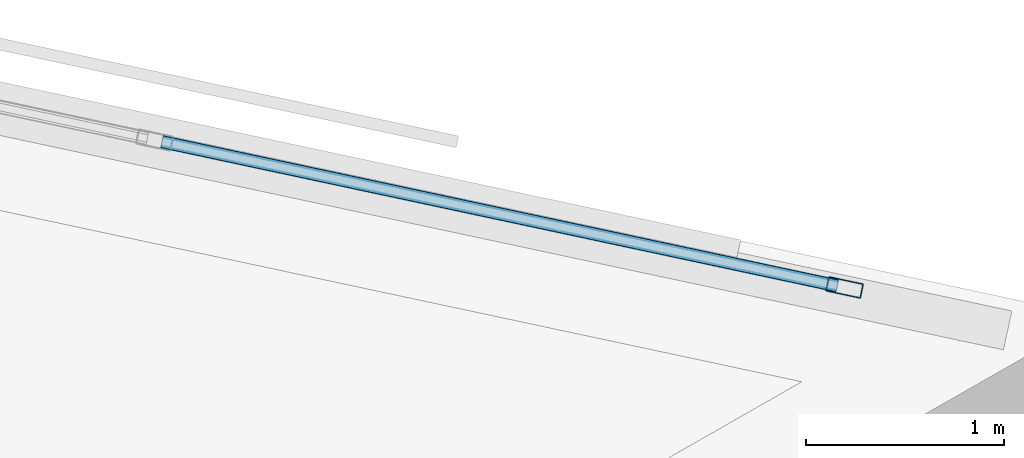
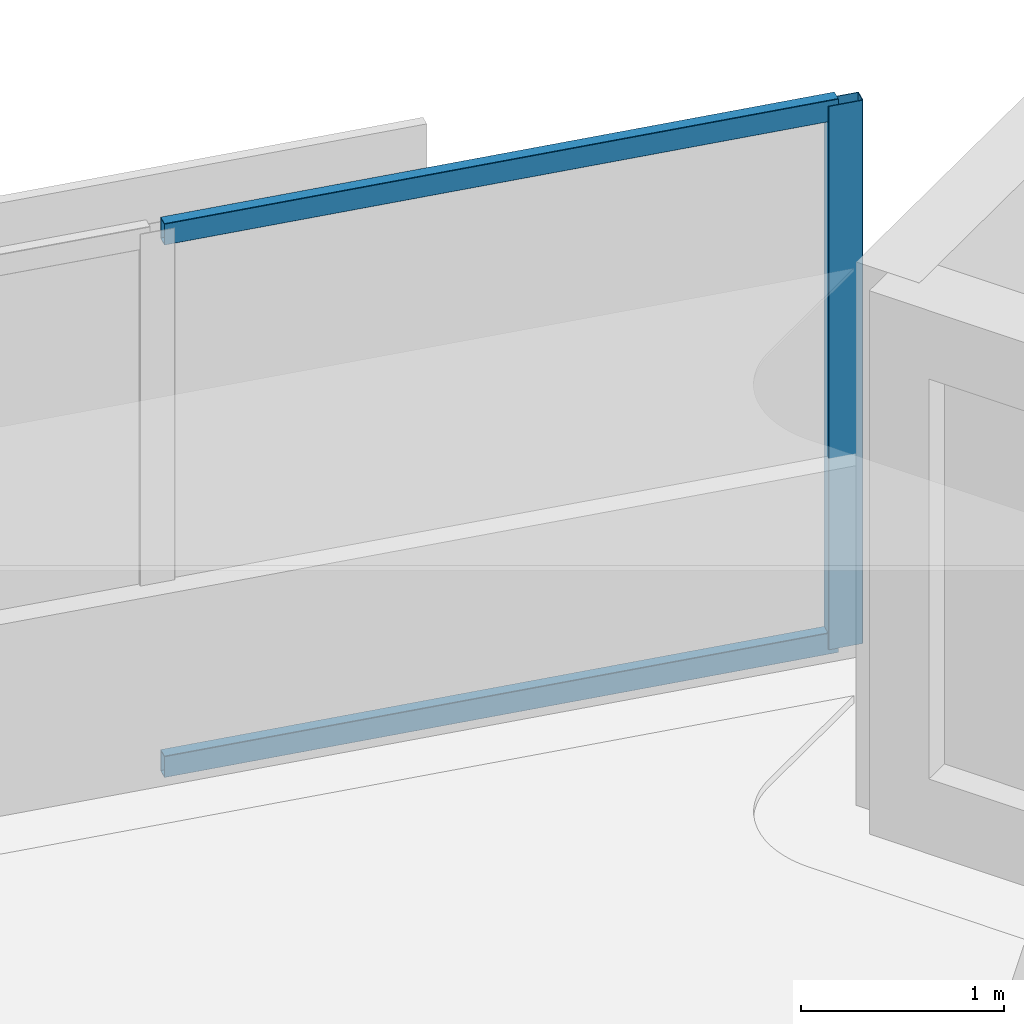
# One storey, part 6 of 13: 3 members, 1 element without a shape of its own.
"""IFC4 building model written with IfcOpenShell, lengths in metres."""

from ifc_helpers import new_model, si_unit, direction, frame, origin, origin_2d, place, context, subcontext, project, spatial, hollow_rectangle, extrude, material, material_profile, profile_set, type_object, element, aggregate, save


model = new_model("IFC4")

# Units and contexts
model_context = context("Model", 3, precision=1e-05, world=origin(), true_north=direction((0.0, 1.0)))
body_context = subcontext(model_context, "Body", "Model", "MODEL_VIEW")
ifc_project = project(units=[si_unit("LENGTHUNIT", "METRE"), si_unit("AREAUNIT", "SQUARE_METRE"), si_unit("VOLUMEUNIT", "CUBIC_METRE"), si_unit("PLANEANGLEUNIT", "RADIAN"), si_unit("MASSUNIT", "GRAM", prefix="KILO")], contexts=[model_context])

# Site, building, storey
site_placement = place(None, origin())
site = spatial("IfcSite", under=ifc_project, at=site_placement, CompositionType="ELEMENT")
building_placement = place(site_placement, origin())
building = spatial("IfcBuilding", under=site, at=building_placement, Name="Narakoshi Arena Tower", CompositionType="ELEMENT")
storey_placement = place(building_placement, frame((0.0, 0.0, 200.89990234375)))
storey = spatial("IfcBuildingStorey", under=building, at=storey_placement, Name="L54", CompositionType="ELEMENT", Elevation=200.89990234375)

# Curtain wall, members
ifc_material = material(Name="Anodised bronze aluminium 6063-T6", Category="aluminium")
curtain_wall_type = type_object("IfcCurtainWallType", Name="CW-HYP-MID", PredefinedType="NOTDEFINED", material=ifc_material)
curtain_wall_placement = place(storey_placement, origin())
curtain_wall = element("IfcCurtainWall", 1, at=curtain_wall_placement, inside=storey, type_object=curtain_wall_type, Name="L54 Folded Hypotenuse Curtain Wall 1-1", PredefinedType="NOTDEFINED")
ifc_material_profile_1 = material_profile(ifc_material, hollow_rectangle(XDim=0.074951171875, YDim=0.179931640625, WallThickness=0.00390625, OuterFilletRadius=0.0048828125, at=origin_2d()), Name="MUL180x75x4")
ifc_profile_set_1 = profile_set([ifc_material_profile_1], Name="Anodised bronze aluminium 6063-T6")
member_type_1 = type_object("IfcMemberType", Name="MEM-MUL-180", PredefinedType="MULLION", material=ifc_profile_set_1)
member_1_placement = place(storey_placement, frame((115.57373046875, 56.938232421875, 0.0), z_axis=(0.0, 0.0, 1.0), x_axis=(-0.208899163248, -0.977937185914, 0.0)))
member_1 = element("IfcMember", 2, at=member_1_placement, type_object=member_type_1, Name="CW-02 mullion 1", PredefinedType="MULLION", context=body_context, shape_type="SweptSolid", body=[
    extrude(hollow_rectangle(XDim=0.074951171875, YDim=0.179931640625, WallThickness=0.00390625, OuterFilletRadius=0.0048828125, at=origin_2d()), origin(), (0.0, 0.0, 1.0), 3.260009765625),
])
ifc_material_profile_2 = material_profile(ifc_material, hollow_rectangle(XDim=0.06494140625, YDim=0.1298828125, WallThickness=0.00390625, OuterFilletRadius=0.0048828125, at=origin_2d()), Name="TRN130x65x4")
ifc_profile_set_2 = profile_set([ifc_material_profile_2], Name="Anodised bronze aluminium 6063-T6")
member_type_2 = type_object("IfcMemberType", Name="MEM-TRN-130", PredefinedType="USERDEFINED", material=ifc_profile_set_2)
member_2_placement = place(storey_placement, frame((115.537109375, 56.946044921875, 0.03271484375), z_axis=(-0.977942813259, 0.20887281775, 0.0), x_axis=(-0.20887281775, -0.977942813259, 0.0)))
member_2 = element("IfcMember", 3, at=member_2_placement, type_object=member_type_2, Name="CW-02 transom 1.1", ObjectType="TRANSOM", PredefinedType="USERDEFINED", context=body_context, shape_type="SweptSolid", body=[
    extrude(hollow_rectangle(XDim=0.06494140625, YDim=0.1298828125, WallThickness=0.00390625, OuterFilletRadius=0.0048828125, at=origin_2d()), origin(), (0.0, 0.0, 1.0), 3.480712890625),
])
member_3_placement = place(storey_placement, frame((115.537109375, 56.946044921875, 3.2275390625), z_axis=(-0.977942813259, 0.20887281775, 0.0), x_axis=(-0.20887281775, -0.977942813259, 0.0)))
member_3 = element("IfcMember", 4, at=member_3_placement, type_object=member_type_2, Name="CW-02 transom 1.2", ObjectType="TRANSOM", PredefinedType="USERDEFINED", context=body_context, shape_type="SweptSolid", body=[
    extrude(hollow_rectangle(XDim=0.06494140625, YDim=0.1298828125, WallThickness=0.00390625, OuterFilletRadius=0.0048828125, at=origin_2d()), origin(), (0.0, 0.0, 1.0), 3.480712890625),
])
aggregate(curtain_wall, [member_1, member_2, member_3])

save(model, "model.ifc")
